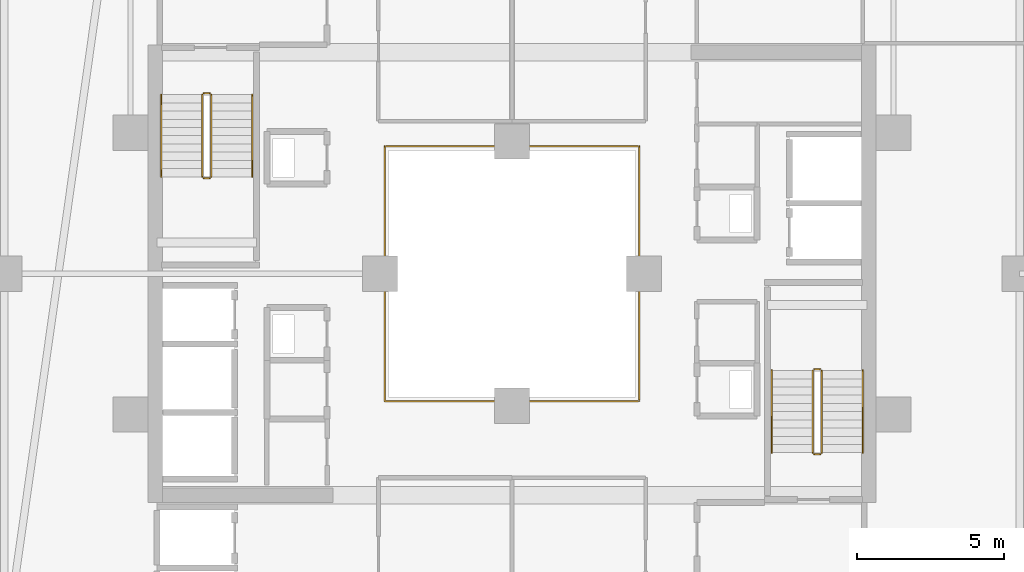
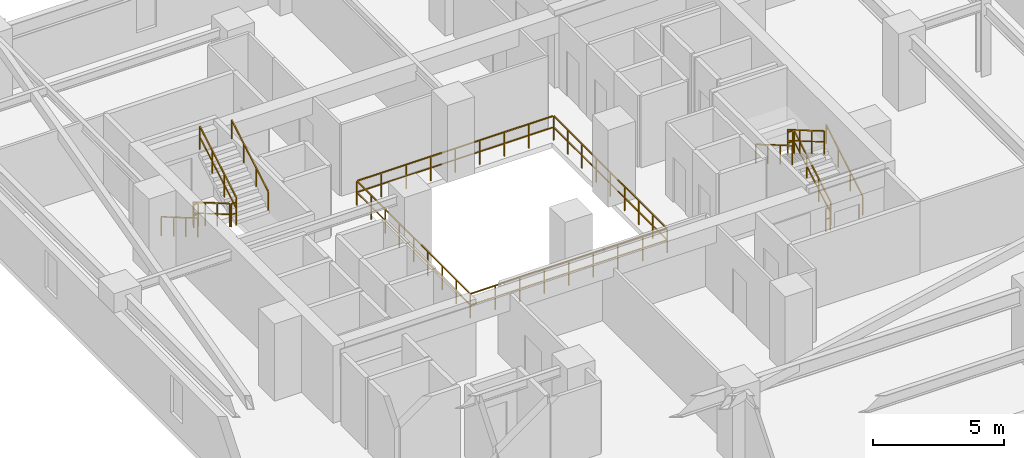
# One storey, part 30 of 31: 13 railings.
"""IFC4 building model written with IfcOpenShell, lengths in metres."""

from ifc_helpers import new_model, si_unit, direction, frame, origin, origin_2d, place, context, subcontext, project, spatial, rectangle, extrude, material, type_object, element, save


model = new_model("IFC4")

# Units and contexts
model_context = context("Model", 3, precision=1e-05, world=origin(), true_north=direction((0.0, 1.0)))
body_context = subcontext(model_context, "Body", "Model", "MODEL_VIEW")
ifc_project = project(units=[si_unit("LENGTHUNIT", "METRE"), si_unit("AREAUNIT", "SQUARE_METRE"), si_unit("VOLUMEUNIT", "CUBIC_METRE"), si_unit("PLANEANGLEUNIT", "RADIAN"), si_unit("MASSUNIT", "GRAM", prefix="KILO")], contexts=[model_context])

# Site, building, storey
site_placement = place(None, origin())
site = spatial("IfcSite", under=ifc_project, at=site_placement, CompositionType="ELEMENT")
building_placement = place(site_placement, origin())
building = spatial("IfcBuilding", under=site, at=building_placement, Name="Thornwick Lancets Civic Towers", CompositionType="ELEMENT")
storey_placement = place(building_placement, frame((0.0, 0.0, 126.89990234375)))
storey = spatial("IfcBuildingStorey", under=building, at=storey_placement, Name="L33", CompositionType="ELEMENT", Elevation=126.89990234375)

# Railings
ifc_material_1 = material(Name="Laminated glass and bronze steel S355", Category="steel")
railing_type_1 = type_object("IfcRailingType", Name="RAIL_ATRIUM_GUARD", PredefinedType="BALUSTRADE", material=ifc_material_1)
railing_1_placement = place(storey_placement, frame((84.159912109375, 22.659912109375, 0.0)))
element("IfcRailing", 1, at=railing_1_placement, inside=storey, type_object=railing_type_1, Name="L33 Tower B Central Atrium Guard Balustrade", PredefinedType="BALUSTRADE", context=body_context, shape_type="SweptSolid", body=[
    extrude(rectangle(XDim=0.048095703125, YDim=0.048095703125, at=origin_2d()), frame((0.0, 0.0, 1.1259765625), z_axis=(1.0, 0.0, 0.0), x_axis=(0.0, 1.0, 0.0)), (0.0, 0.0, 1.0), 8.64892578125),
    extrude(rectangle(XDim=0.0419921875, YDim=0.0419921875, at=origin_2d()), frame((0.03759765625, 0.0, 0.597900390625), z_axis=(1.0, 0.0, 0.0), x_axis=(0.0, 1.0, 0.0)), (0.0, 0.0, 1.0), 1.010009765625),
    extrude(rectangle(XDim=0.0419921875, YDim=0.0419921875, at=origin_2d()), frame((1.12255859375, 0.0, 0.597900390625), z_axis=(1.0, 0.0, 0.0), x_axis=(0.0, 1.0, 0.0)), (0.0, 0.0, 1.0), 1.010009765625),
    extrude(rectangle(XDim=0.0419921875, YDim=0.0419921875, at=origin_2d()), frame((2.20751953125, 0.0, 0.597900390625), z_axis=(1.0, 0.0, 0.0), x_axis=(0.0, 1.0, 0.0)), (0.0, 0.0, 1.0), 1.010009765625),
    extrude(rectangle(XDim=0.0419921875, YDim=0.0419921875, at=origin_2d()), frame((3.29248046875, 0.0, 0.597900390625), z_axis=(1.0, 0.0, 0.0), x_axis=(0.0, 1.0, 0.0)), (0.0, 0.0, 1.0), 1.010009765625),
    extrude(rectangle(XDim=0.0419921875, YDim=0.0419921875, at=origin_2d()), frame((4.377685546875, 0.0, 0.597900390625), z_axis=(1.0, 0.0, 0.0), x_axis=(0.0, 1.0, 0.0)), (0.0, 0.0, 1.0), 1.010009765625),
    extrude(rectangle(XDim=0.0419921875, YDim=0.0419921875, at=origin_2d()), frame((5.462646484375, 0.0, 0.597900390625), z_axis=(1.0, 0.0, 0.0), x_axis=(0.0, 1.0, 0.0)), (0.0, 0.0, 1.0), 1.010009765625),
    extrude(rectangle(XDim=0.0419921875, YDim=0.0419921875, at=origin_2d()), frame((6.547607421875, 0.0, 0.597900390625), z_axis=(1.0, 0.0, 0.0), x_axis=(0.0, 1.0, 0.0)), (0.0, 0.0, 1.0), 1.010009765625),
    extrude(rectangle(XDim=0.0419921875, YDim=0.0419921875, at=origin_2d()), frame((7.632568359375, 0.0, 0.597900390625), z_axis=(1.0, 0.0, 0.0), x_axis=(0.0, 1.0, 0.0)), (0.0, 0.0, 1.0), 1.010009765625),
    extrude(rectangle(XDim=0.048095703125, YDim=0.048095703125, at=origin_2d()), frame((8.68017578125, 0.03125, 1.1259765625), z_axis=(0.0, 1.0, 0.0), x_axis=(-1.0, 0.0, 0.0)), (0.0, 0.0, 1.0), 8.61767578125),
    extrude(rectangle(XDim=0.0419921875, YDim=0.0419921875, at=origin_2d()), frame((8.68017578125, 0.03759765625, 0.597900390625), z_axis=(0.0, 1.0, 0.0), x_axis=(-1.0, 0.0, 0.0)), (0.0, 0.0, 1.0), 1.010009765625),
    extrude(rectangle(XDim=0.0419921875, YDim=0.0419921875, at=origin_2d()), frame((8.68017578125, 1.12255859375, 0.597900390625), z_axis=(0.0, 1.0, 0.0), x_axis=(-1.0, 0.0, 0.0)), (0.0, 0.0, 1.0), 1.010009765625),
    extrude(rectangle(XDim=0.0419921875, YDim=0.0419921875, at=origin_2d()), frame((8.68017578125, 2.20751953125, 0.597900390625), z_axis=(0.0, 1.0, 0.0), x_axis=(-1.0, 0.0, 0.0)), (0.0, 0.0, 1.0), 1.010009765625),
    extrude(rectangle(XDim=0.0419921875, YDim=0.0419921875, at=origin_2d()), frame((8.68017578125, 3.29248046875, 0.597900390625), z_axis=(0.0, 1.0, 0.0), x_axis=(-1.0, 0.0, 0.0)), (0.0, 0.0, 1.0), 1.010009765625),
    extrude(rectangle(XDim=0.0419921875, YDim=0.0419921875, at=origin_2d()), frame((8.68017578125, 4.377685546875, 0.597900390625), z_axis=(0.0, 1.0, 0.0), x_axis=(-1.0, 0.0, 0.0)), (0.0, 0.0, 1.0), 1.010009765625),
    extrude(rectangle(XDim=0.0419921875, YDim=0.0419921875, at=origin_2d()), frame((8.68017578125, 5.462646484375, 0.597900390625), z_axis=(0.0, 1.0, 0.0), x_axis=(-1.0, 0.0, 0.0)), (0.0, 0.0, 1.0), 1.010009765625),
    extrude(rectangle(XDim=0.0419921875, YDim=0.0419921875, at=origin_2d()), frame((8.68017578125, 6.547607421875, 0.597900390625), z_axis=(0.0, 1.0, 0.0), x_axis=(-1.0, 0.0, 0.0)), (0.0, 0.0, 1.0), 1.010009765625),
    extrude(rectangle(XDim=0.0419921875, YDim=0.0419921875, at=origin_2d()), frame((8.68017578125, 7.632568359375, 0.597900390625), z_axis=(0.0, 1.0, 0.0), x_axis=(-1.0, 0.0, 0.0)), (0.0, 0.0, 1.0), 1.010009765625),
    extrude(rectangle(XDim=0.048095703125, YDim=0.048095703125, at=origin_2d()), frame((8.64892578125, 8.68017578125, 1.1259765625), z_axis=(-1.0, 0.0, 0.0), x_axis=(0.0, -1.0, 0.0)), (0.0, 0.0, 1.0), 8.61767578125),
    extrude(rectangle(XDim=0.0419921875, YDim=0.0419921875, at=origin_2d()), frame((8.642578125, 8.68017578125, 0.597900390625), z_axis=(-1.0, 0.0, 0.0), x_axis=(0.0, -1.0, 0.0)), (0.0, 0.0, 1.0), 1.010009765625),
    extrude(rectangle(XDim=0.0419921875, YDim=0.0419921875, at=origin_2d()), frame((7.5576171875, 8.68017578125, 0.597900390625), z_axis=(-1.0, 0.0, 0.0), x_axis=(0.0, -1.0, 0.0)), (0.0, 0.0, 1.0), 1.010009765625),
    extrude(rectangle(XDim=0.0419921875, YDim=0.0419921875, at=origin_2d()), frame((6.47265625, 8.68017578125, 0.597900390625), z_axis=(-1.0, 0.0, 0.0), x_axis=(0.0, -1.0, 0.0)), (0.0, 0.0, 1.0), 1.010009765625),
    extrude(rectangle(XDim=0.0419921875, YDim=0.0419921875, at=origin_2d()), frame((5.3876953125, 8.68017578125, 0.597900390625), z_axis=(-1.0, 0.0, 0.0), x_axis=(0.0, -1.0, 0.0)), (0.0, 0.0, 1.0), 1.010009765625),
    extrude(rectangle(XDim=0.0419921875, YDim=0.0419921875, at=origin_2d()), frame((4.302490234375, 8.68017578125, 0.597900390625), z_axis=(-1.0, 0.0, 0.0), x_axis=(0.0, -1.0, 0.0)), (0.0, 0.0, 1.0), 1.010009765625),
    extrude(rectangle(XDim=0.0419921875, YDim=0.0419921875, at=origin_2d()), frame((3.217529296875, 8.68017578125, 0.597900390625), z_axis=(-1.0, 0.0, 0.0), x_axis=(0.0, -1.0, 0.0)), (0.0, 0.0, 1.0), 1.010009765625),
    extrude(rectangle(XDim=0.0419921875, YDim=0.0419921875, at=origin_2d()), frame((2.132568359375, 8.68017578125, 0.597900390625), z_axis=(-1.0, 0.0, 0.0), x_axis=(0.0, -1.0, 0.0)), (0.0, 0.0, 1.0), 1.010009765625),
    extrude(rectangle(XDim=0.0419921875, YDim=0.0419921875, at=origin_2d()), frame((1.047607421875, 8.68017578125, 0.597900390625), z_axis=(-1.0, 0.0, 0.0), x_axis=(0.0, -1.0, 0.0)), (0.0, 0.0, 1.0), 1.010009765625),
    extrude(rectangle(XDim=0.048095703125, YDim=0.048095703125, at=origin_2d()), frame((0.0, 8.64892578125, 1.1259765625), z_axis=(0.0, -1.0, 0.0), x_axis=(1.0, 0.0, 0.0)), (0.0, 0.0, 1.0), 8.64892578125),
    extrude(rectangle(XDim=0.0419921875, YDim=0.0419921875, at=origin_2d()), frame((0.0, 8.642578125, 0.597900390625), z_axis=(0.0, -1.0, 0.0), x_axis=(1.0, 0.0, 0.0)), (0.0, 0.0, 1.0), 1.010009765625),
    extrude(rectangle(XDim=0.0419921875, YDim=0.0419921875, at=origin_2d()), frame((0.0, 7.5576171875, 0.597900390625), z_axis=(0.0, -1.0, 0.0), x_axis=(1.0, 0.0, 0.0)), (0.0, 0.0, 1.0), 1.010009765625),
    extrude(rectangle(XDim=0.0419921875, YDim=0.0419921875, at=origin_2d()), frame((0.0, 6.47265625, 0.597900390625), z_axis=(0.0, -1.0, 0.0), x_axis=(1.0, 0.0, 0.0)), (0.0, 0.0, 1.0), 1.010009765625),
    extrude(rectangle(XDim=0.0419921875, YDim=0.0419921875, at=origin_2d()), frame((0.0, 5.3876953125, 0.597900390625), z_axis=(0.0, -1.0, 0.0), x_axis=(1.0, 0.0, 0.0)), (0.0, 0.0, 1.0), 1.010009765625),
    extrude(rectangle(XDim=0.0419921875, YDim=0.0419921875, at=origin_2d()), frame((0.0, 4.302490234375, 0.597900390625), z_axis=(0.0, -1.0, 0.0), x_axis=(1.0, 0.0, 0.0)), (0.0, 0.0, 1.0), 1.010009765625),
    extrude(rectangle(XDim=0.0419921875, YDim=0.0419921875, at=origin_2d()), frame((0.0, 3.217529296875, 0.597900390625), z_axis=(0.0, -1.0, 0.0), x_axis=(1.0, 0.0, 0.0)), (0.0, 0.0, 1.0), 1.010009765625),
    extrude(rectangle(XDim=0.0419921875, YDim=0.0419921875, at=origin_2d()), frame((0.0, 2.132568359375, 0.597900390625), z_axis=(0.0, -1.0, 0.0), x_axis=(1.0, 0.0, 0.0)), (0.0, 0.0, 1.0), 1.010009765625),
    extrude(rectangle(XDim=0.0419921875, YDim=0.0419921875, at=origin_2d()), frame((0.0, 1.047607421875, 0.597900390625), z_axis=(0.0, -1.0, 0.0), x_axis=(1.0, 0.0, 0.0)), (0.0, 0.0, 1.0), 1.010009765625),
    extrude(rectangle(XDim=0.0419921875, YDim=0.0419921875, at=origin_2d()), origin(), (0.0, 0.0, 1.0), 1.095703125),
    extrude(rectangle(XDim=0.0419921875, YDim=0.0419921875, at=origin_2d()), frame((1.0849609375, 0.0, 0.0)), (0.0, 0.0, 1.0), 1.095703125),
    extrude(rectangle(XDim=0.0419921875, YDim=0.0419921875, at=origin_2d()), frame((2.169921875, 0.0, 0.0)), (0.0, 0.0, 1.0), 1.095703125),
    extrude(rectangle(XDim=0.0419921875, YDim=0.0419921875, at=origin_2d()), frame((3.255126953125, 0.0, 0.0)), (0.0, 0.0, 1.0), 1.095703125),
    extrude(rectangle(XDim=0.0419921875, YDim=0.0419921875, at=origin_2d()), frame((4.340087890625, 0.0, 0.0)), (0.0, 0.0, 1.0), 1.095703125),
    extrude(rectangle(XDim=0.0419921875, YDim=0.0419921875, at=origin_2d()), frame((5.425048828125, 0.0, 0.0)), (0.0, 0.0, 1.0), 1.095703125),
    extrude(rectangle(XDim=0.0419921875, YDim=0.0419921875, at=origin_2d()), frame((6.51025390625, 0.0, 0.0)), (0.0, 0.0, 1.0), 1.095703125),
    extrude(rectangle(XDim=0.0419921875, YDim=0.0419921875, at=origin_2d()), frame((7.59521484375, 0.0, 0.0)), (0.0, 0.0, 1.0), 1.095703125),
    extrude(rectangle(XDim=0.0419921875, YDim=0.0419921875, at=origin_2d()), frame((8.68017578125, 0.0, 0.0)), (0.0, 0.0, 1.0), 1.095703125),
    extrude(rectangle(XDim=0.0419921875, YDim=0.0419921875, at=origin_2d()), frame((8.68017578125, 1.0849609375, 0.0)), (0.0, 0.0, 1.0), 1.095703125),
    extrude(rectangle(XDim=0.0419921875, YDim=0.0419921875, at=origin_2d()), frame((8.68017578125, 2.169921875, 0.0)), (0.0, 0.0, 1.0), 1.095703125),
    extrude(rectangle(XDim=0.0419921875, YDim=0.0419921875, at=origin_2d()), frame((8.68017578125, 3.255126953125, 0.0)), (0.0, 0.0, 1.0), 1.095703125),
    extrude(rectangle(XDim=0.0419921875, YDim=0.0419921875, at=origin_2d()), frame((8.68017578125, 4.340087890625, 0.0)), (0.0, 0.0, 1.0), 1.095703125),
    extrude(rectangle(XDim=0.0419921875, YDim=0.0419921875, at=origin_2d()), frame((8.68017578125, 5.425048828125, 0.0)), (0.0, 0.0, 1.0), 1.095703125),
    extrude(rectangle(XDim=0.0419921875, YDim=0.0419921875, at=origin_2d()), frame((8.68017578125, 6.51025390625, 0.0)), (0.0, 0.0, 1.0), 1.095703125),
    extrude(rectangle(XDim=0.0419921875, YDim=0.0419921875, at=origin_2d()), frame((8.68017578125, 7.59521484375, 0.0)), (0.0, 0.0, 1.0), 1.095703125),
    extrude(rectangle(XDim=0.0419921875, YDim=0.0419921875, at=origin_2d()), frame((8.68017578125, 8.68017578125, 0.0)), (0.0, 0.0, 1.0), 1.095703125),
    extrude(rectangle(XDim=0.0419921875, YDim=0.0419921875, at=origin_2d()), frame((7.59521484375, 8.68017578125, 0.0)), (0.0, 0.0, 1.0), 1.095703125),
    extrude(rectangle(XDim=0.0419921875, YDim=0.0419921875, at=origin_2d()), frame((6.51025390625, 8.68017578125, 0.0)), (0.0, 0.0, 1.0), 1.095703125),
    extrude(rectangle(XDim=0.0419921875, YDim=0.0419921875, at=origin_2d()), frame((5.425048828125, 8.68017578125, 0.0)), (0.0, 0.0, 1.0), 1.095703125),
    extrude(rectangle(XDim=0.0419921875, YDim=0.0419921875, at=origin_2d()), frame((4.340087890625, 8.68017578125, 0.0)), (0.0, 0.0, 1.0), 1.095703125),
    extrude(rectangle(XDim=0.0419921875, YDim=0.0419921875, at=origin_2d()), frame((3.255126953125, 8.68017578125, 0.0)), (0.0, 0.0, 1.0), 1.095703125),
    extrude(rectangle(XDim=0.0419921875, YDim=0.0419921875, at=origin_2d()), frame((2.169921875, 8.68017578125, 0.0)), (0.0, 0.0, 1.0), 1.095703125),
    extrude(rectangle(XDim=0.0419921875, YDim=0.0419921875, at=origin_2d()), frame((1.0849609375, 8.68017578125, 0.0)), (0.0, 0.0, 1.0), 1.095703125),
    extrude(rectangle(XDim=0.0419921875, YDim=0.0419921875, at=origin_2d()), frame((0.0, 8.68017578125, 0.0)), (0.0, 0.0, 1.0), 1.095703125),
    extrude(rectangle(XDim=0.0419921875, YDim=0.0419921875, at=origin_2d()), frame((0.0, 7.59521484375, 0.0)), (0.0, 0.0, 1.0), 1.095703125),
    extrude(rectangle(XDim=0.0419921875, YDim=0.0419921875, at=origin_2d()), frame((0.0, 6.51025390625, 0.0)), (0.0, 0.0, 1.0), 1.095703125),
    extrude(rectangle(XDim=0.0419921875, YDim=0.0419921875, at=origin_2d()), frame((0.0, 5.425048828125, 0.0)), (0.0, 0.0, 1.0), 1.095703125),
    extrude(rectangle(XDim=0.0419921875, YDim=0.0419921875, at=origin_2d()), frame((0.0, 4.340087890625, 0.0)), (0.0, 0.0, 1.0), 1.095703125),
    extrude(rectangle(XDim=0.0419921875, YDim=0.0419921875, at=origin_2d()), frame((0.0, 3.255126953125, 0.0)), (0.0, 0.0, 1.0), 1.095703125),
    extrude(rectangle(XDim=0.0419921875, YDim=0.0419921875, at=origin_2d()), frame((0.0, 2.169921875, 0.0)), (0.0, 0.0, 1.0), 1.095703125),
    extrude(rectangle(XDim=0.0419921875, YDim=0.0419921875, at=origin_2d()), frame((0.0, 1.0849609375, 0.0)), (0.0, 0.0, 1.0), 1.095703125),
])
ifc_material_2 = material(Name="Brushed stainless steel S355", Category="steel")
railing_type_2 = type_object("IfcRailingType", Name="RAIL_HANDRAIL", PredefinedType="HANDRAIL", material=ifc_material_2)
railing_2_placement = place(storey_placement, frame((100.449951171875, 20.89990234375, 0.163818359375)))
element("IfcRailing", 2, at=railing_2_placement, inside=storey, type_object=railing_type_2, Name="L33 ST-B1 stair handrail 1", PredefinedType="HANDRAIL", context=body_context, shape_type="SweptSolid", body=[
    extrude(rectangle(XDim=0.048095703125, YDim=0.048095703125, at=origin_2d()), frame((0.0, 0.0, 0.8857421875), z_axis=(0.0, 0.863393664356, 0.504530851732), x_axis=(-1.0, 0.0, 0.0)), (0.0, 0.0, 1.0), 3.2431640625),
    extrude(rectangle(XDim=0.0419921875, YDim=0.0419921875, at=origin_2d()), origin(), (0.0, 0.0, 1.0), 0.855712890625),
    extrude(rectangle(XDim=0.0419921875, YDim=0.0419921875, at=origin_2d()), frame((0.0, 0.933349609375, 0.54541015625)), (0.0, 0.0, 1.0), 0.855712890625),
    extrude(rectangle(XDim=0.0419921875, YDim=0.0419921875, at=origin_2d()), frame((0.0, 1.86669921875, 1.0908203125)), (0.0, 0.0, 1.0), 0.855712890625),
    extrude(rectangle(XDim=0.0419921875, YDim=0.0419921875, at=origin_2d()), frame((0.0, 2.800048828125, 1.63623046875)), (0.0, 0.0, 1.0), 0.855712890625),
])
railing_3_placement = place(storey_placement, frame((97.35009765625, 23.699951171875, 1.963623046875)))
element("IfcRailing", 3, at=railing_3_placement, inside=storey, type_object=railing_type_2, Name="L33 ST-B1 stair handrail 2", PredefinedType="HANDRAIL", context=body_context, shape_type="SweptSolid", body=[
    extrude(rectangle(XDim=0.048095703125, YDim=0.048095703125, at=origin_2d()), frame((0.0, 0.0, 0.8857421875), z_axis=(0.0, -0.863360870873, 0.504586966384), x_axis=(1.0, 0.0, 0.0)), (0.0, 0.0, 1.0), 3.2431640625),
    extrude(rectangle(XDim=0.0419921875, YDim=0.0419921875, at=origin_2d()), origin(), (0.0, 0.0, 1.0), 0.855712890625),
    extrude(rectangle(XDim=0.0419921875, YDim=0.0419921875, at=origin_2d()), frame((0.0, -0.933349609375, 0.54541015625)), (0.0, 0.0, 1.0), 0.855712890625),
    extrude(rectangle(XDim=0.0419921875, YDim=0.0419921875, at=origin_2d()), frame((0.0, -1.86669921875, 1.091064453125)), (0.0, 0.0, 1.0), 0.855712890625),
    extrude(rectangle(XDim=0.0419921875, YDim=0.0419921875, at=origin_2d()), frame((0.0, -2.800048828125, 1.636474609375)), (0.0, 0.0, 1.0), 0.855712890625),
])
railing_4_placement = place(storey_placement, frame((76.550048828125, 33.10009765625, 0.163818359375)))
element("IfcRailing", 4, at=railing_4_placement, inside=storey, type_object=railing_type_2, Name="L33 ST-B2 stair handrail 1", PredefinedType="HANDRAIL", context=body_context, shape_type="SweptSolid", body=[
    extrude(rectangle(XDim=0.048095703125, YDim=0.048095703125, at=origin_2d()), frame((0.0, 0.0, 0.8857421875), z_axis=(0.0, -0.863393664356, 0.504530851732), x_axis=(1.0, 0.0, 0.0)), (0.0, 0.0, 1.0), 3.2431640625),
    extrude(rectangle(XDim=0.0419921875, YDim=0.0419921875, at=origin_2d()), origin(), (0.0, 0.0, 1.0), 0.855712890625),
    extrude(rectangle(XDim=0.0419921875, YDim=0.0419921875, at=origin_2d()), frame((0.0, -0.933349609375, 0.54541015625)), (0.0, 0.0, 1.0), 0.855712890625),
    extrude(rectangle(XDim=0.0419921875, YDim=0.0419921875, at=origin_2d()), frame((0.0, -1.86669921875, 1.0908203125)), (0.0, 0.0, 1.0), 0.855712890625),
    extrude(rectangle(XDim=0.0419921875, YDim=0.0419921875, at=origin_2d()), frame((0.0, -2.800048828125, 1.63623046875)), (0.0, 0.0, 1.0), 0.855712890625),
])
railing_5_placement = place(storey_placement, frame((79.64990234375, 30.300048828125, 1.963623046875)))
element("IfcRailing", 5, at=railing_5_placement, inside=storey, type_object=railing_type_2, Name="L33 ST-B2 stair handrail 2", PredefinedType="HANDRAIL", context=body_context, shape_type="SweptSolid", body=[
    extrude(rectangle(XDim=0.048095703125, YDim=0.048095703125, at=origin_2d()), frame((0.0, 0.0, 0.8857421875), z_axis=(0.0, 0.863360870873, 0.504586966384), x_axis=(-1.0, 0.0, 0.0)), (0.0, 0.0, 1.0), 3.2431640625),
    extrude(rectangle(XDim=0.0419921875, YDim=0.0419921875, at=origin_2d()), origin(), (0.0, 0.0, 1.0), 0.855712890625),
    extrude(rectangle(XDim=0.0419921875, YDim=0.0419921875, at=origin_2d()), frame((0.0, 0.933349609375, 0.54541015625)), (0.0, 0.0, 1.0), 0.855712890625),
    extrude(rectangle(XDim=0.0419921875, YDim=0.0419921875, at=origin_2d()), frame((0.0, 1.86669921875, 1.091064453125)), (0.0, 0.0, 1.0), 0.855712890625),
    extrude(rectangle(XDim=0.0419921875, YDim=0.0419921875, at=origin_2d()), frame((0.0, 2.800048828125, 1.636474609375)), (0.0, 0.0, 1.0), 0.855712890625),
])
ifc_material_3 = material(Name="Steel S355JR", Category="steel")
railing_type_3 = type_object("IfcRailingType", Name="RAIL_STAIR_GUARD", PredefinedType="GUARDRAIL", material=ifc_material_3)
railing_6_placement = place(storey_placement, frame((99.050048828125, 20.89990234375, 0.163818359375)))
element("IfcRailing", 6, at=railing_6_placement, inside=storey, type_object=railing_type_3, Name="L33 ST-B1 stair guard 1", PredefinedType="GUARDRAIL", context=body_context, shape_type="SweptSolid", body=[
    extrude(rectangle(XDim=0.048095703125, YDim=0.048095703125, at=origin_2d()), frame((0.0, 0.0, 1.076171875), z_axis=(0.0, 0.863393664356, 0.504530851732), x_axis=(-1.0, 0.0, 0.0)), (0.0, 0.0, 1.0), 3.2431640625),
    extrude(rectangle(XDim=0.0419921875, YDim=0.0419921875, at=origin_2d()), frame((0.0, 0.032470703125, 0.591064453125), z_axis=(0.0, 0.863393664356, 0.504530851732), x_axis=(-1.0, 0.0, 0.0)), (0.0, 0.0, 1.0), 1.006103515625),
    extrude(rectangle(XDim=0.0419921875, YDim=0.0419921875, at=origin_2d()), frame((0.0, 0.9658203125, 1.136474609375), z_axis=(0.0, 0.863393664356, 0.504530851732), x_axis=(-1.0, 0.0, 0.0)), (0.0, 0.0, 1.0), 1.006103515625),
    extrude(rectangle(XDim=0.0419921875, YDim=0.0419921875, at=origin_2d()), frame((0.0, 1.899169921875, 1.681884765625), z_axis=(0.0, 0.863393664356, 0.504530851732), x_axis=(-1.0, 0.0, 0.0)), (0.0, 0.0, 1.0), 1.006103515625),
    extrude(rectangle(XDim=0.0419921875, YDim=0.0419921875, at=origin_2d()), origin(), (0.0, 0.0, 1.0), 1.0458984375),
    extrude(rectangle(XDim=0.0419921875, YDim=0.0419921875, at=origin_2d()), frame((0.0, 0.933349609375, 0.54541015625)), (0.0, 0.0, 1.0), 1.0458984375),
    extrude(rectangle(XDim=0.0419921875, YDim=0.0419921875, at=origin_2d()), frame((0.0, 1.86669921875, 1.0908203125)), (0.0, 0.0, 1.0), 1.0458984375),
    extrude(rectangle(XDim=0.0419921875, YDim=0.0419921875, at=origin_2d()), frame((0.0, 2.800048828125, 1.63623046875)), (0.0, 0.0, 1.0), 1.0458984375),
])
railing_7_placement = place(storey_placement, frame((99.0, 23.75, 1.800048828125)))
element("IfcRailing", 7, at=railing_7_placement, inside=storey, type_object=railing_type_3, Name="L33 ST-B1 stair guard 2", PredefinedType="GUARDRAIL", context=body_context, shape_type="SweptSolid", body=[
    extrude(rectangle(XDim=0.048095703125, YDim=0.048095703125, at=origin_2d()), frame((0.0, 0.0, 1.076171875), z_axis=(-1.0, 0.0, 0.0), x_axis=(0.0, -1.0, 0.0)), (0.0, 0.0, 1.0), 0.199951171875),
    extrude(rectangle(XDim=0.0419921875, YDim=0.0419921875, at=origin_2d()), frame((-0.03759765625, 0.0, 0.572021484375), z_axis=(-1.0, 0.0, 0.0), x_axis=(0.0, -1.0, 0.0)), (0.0, 0.0, 1.0), 0.125),
    extrude(rectangle(XDim=0.0419921875, YDim=0.0419921875, at=origin_2d()), origin(), (0.0, 0.0, 1.0), 1.0458984375),
    extrude(rectangle(XDim=0.0419921875, YDim=0.0419921875, at=origin_2d()), frame((-0.199951171875, 0.0, 0.0)), (0.0, 0.0, 1.0), 1.0458984375),
])
railing_8_placement = place(storey_placement, frame((98.75, 23.699951171875, 1.963623046875)))
element("IfcRailing", 8, at=railing_8_placement, inside=storey, type_object=railing_type_3, Name="L33 ST-B1 stair guard 3", PredefinedType="GUARDRAIL", context=body_context, shape_type="SweptSolid", body=[
    extrude(rectangle(XDim=0.048095703125, YDim=0.048095703125, at=origin_2d()), frame((0.0, 0.0, 1.076171875), z_axis=(0.0, -0.863360870873, 0.504586966384), x_axis=(1.0, 0.0, 0.0)), (0.0, 0.0, 1.0), 3.2431640625),
    extrude(rectangle(XDim=0.0419921875, YDim=0.0419921875, at=origin_2d()), frame((0.0, -0.032470703125, 0.591064453125), z_axis=(0.0, -0.863360870873, 0.504586966384), x_axis=(1.0, 0.0, 0.0)), (0.0, 0.0, 1.0), 1.006103515625),
    extrude(rectangle(XDim=0.0419921875, YDim=0.0419921875, at=origin_2d()), frame((0.0, -0.9658203125, 1.136474609375), z_axis=(0.0, -0.863360870873, 0.504586966384), x_axis=(1.0, 0.0, 0.0)), (0.0, 0.0, 1.0), 1.006103515625),
    extrude(rectangle(XDim=0.0419921875, YDim=0.0419921875, at=origin_2d()), frame((0.0, -1.899169921875, 1.681884765625), z_axis=(0.0, -0.863360870873, 0.504586966384), x_axis=(1.0, 0.0, 0.0)), (0.0, 0.0, 1.0), 1.006103515625),
    extrude(rectangle(XDim=0.0419921875, YDim=0.0419921875, at=origin_2d()), origin(), (0.0, 0.0, 1.0), 1.0458984375),
    extrude(rectangle(XDim=0.0419921875, YDim=0.0419921875, at=origin_2d()), frame((0.0, -0.933349609375, 0.54541015625)), (0.0, 0.0, 1.0), 1.0458984375),
    extrude(rectangle(XDim=0.0419921875, YDim=0.0419921875, at=origin_2d()), frame((0.0, -1.86669921875, 1.091064453125)), (0.0, 0.0, 1.0), 1.0458984375),
    extrude(rectangle(XDim=0.0419921875, YDim=0.0419921875, at=origin_2d()), frame((0.0, -2.800048828125, 1.636474609375)), (0.0, 0.0, 1.0), 1.0458984375),
])
railing_9_placement = place(storey_placement, frame((99.0, 20.85009765625, 0.0)))
element("IfcRailing", 9, at=railing_9_placement, inside=storey, type_object=railing_type_3, Name="L33 ST-B1 stair guard 4", PredefinedType="GUARDRAIL", context=body_context, shape_type="SweptSolid", body=[
    extrude(rectangle(XDim=0.048095703125, YDim=0.048095703125, at=origin_2d()), frame((0.0, 0.0, 1.076171875), z_axis=(-1.0, 0.0, 0.0), x_axis=(0.0, -1.0, 0.0)), (0.0, 0.0, 1.0), 0.199951171875),
    extrude(rectangle(XDim=0.0419921875, YDim=0.0419921875, at=origin_2d()), frame((-0.03759765625, 0.0, 0.572021484375), z_axis=(-1.0, 0.0, 0.0), x_axis=(0.0, -1.0, 0.0)), (0.0, 0.0, 1.0), 0.125),
    extrude(rectangle(XDim=0.0419921875, YDim=0.0419921875, at=origin_2d()), origin(), (0.0, 0.0, 1.0), 1.0458984375),
    extrude(rectangle(XDim=0.0419921875, YDim=0.0419921875, at=origin_2d()), frame((-0.199951171875, 0.0, 0.0)), (0.0, 0.0, 1.0), 1.0458984375),
])
railing_10_placement = place(storey_placement, frame((77.949951171875, 33.10009765625, 0.163818359375)))
element("IfcRailing", 10, at=railing_10_placement, inside=storey, type_object=railing_type_3, Name="L33 ST-B2 stair guard 1", PredefinedType="GUARDRAIL", context=body_context, shape_type="SweptSolid", body=[
    extrude(rectangle(XDim=0.048095703125, YDim=0.048095703125, at=origin_2d()), frame((0.0, 0.0, 1.076171875), z_axis=(0.0, -0.863393664356, 0.504530851732), x_axis=(1.0, 0.0, 0.0)), (0.0, 0.0, 1.0), 3.2431640625),
    extrude(rectangle(XDim=0.0419921875, YDim=0.0419921875, at=origin_2d()), frame((0.0, -0.032470703125, 0.591064453125), z_axis=(0.0, -0.863393664356, 0.504530851732), x_axis=(1.0, 0.0, 0.0)), (0.0, 0.0, 1.0), 1.006103515625),
    extrude(rectangle(XDim=0.0419921875, YDim=0.0419921875, at=origin_2d()), frame((0.0, -0.9658203125, 1.136474609375), z_axis=(0.0, -0.863393664356, 0.504530851732), x_axis=(1.0, 0.0, 0.0)), (0.0, 0.0, 1.0), 1.006103515625),
    extrude(rectangle(XDim=0.0419921875, YDim=0.0419921875, at=origin_2d()), frame((0.0, -1.899169921875, 1.681884765625), z_axis=(0.0, -0.863393664356, 0.504530851732), x_axis=(1.0, 0.0, 0.0)), (0.0, 0.0, 1.0), 1.006103515625),
    extrude(rectangle(XDim=0.0419921875, YDim=0.0419921875, at=origin_2d()), origin(), (0.0, 0.0, 1.0), 1.0458984375),
    extrude(rectangle(XDim=0.0419921875, YDim=0.0419921875, at=origin_2d()), frame((0.0, -0.933349609375, 0.54541015625)), (0.0, 0.0, 1.0), 1.0458984375),
    extrude(rectangle(XDim=0.0419921875, YDim=0.0419921875, at=origin_2d()), frame((0.0, -1.86669921875, 1.0908203125)), (0.0, 0.0, 1.0), 1.0458984375),
    extrude(rectangle(XDim=0.0419921875, YDim=0.0419921875, at=origin_2d()), frame((0.0, -2.800048828125, 1.63623046875)), (0.0, 0.0, 1.0), 1.0458984375),
])
railing_11_placement = place(storey_placement, frame((78.0, 30.25, 1.800048828125)))
element("IfcRailing", 11, at=railing_11_placement, inside=storey, type_object=railing_type_3, Name="L33 ST-B2 stair guard 2", PredefinedType="GUARDRAIL", context=body_context, shape_type="SweptSolid", body=[
    extrude(rectangle(XDim=0.048095703125, YDim=0.048095703125, at=origin_2d()), frame((0.0, 0.0, 1.076171875), z_axis=(1.0, 0.0, 0.0), x_axis=(0.0, 1.0, 0.0)), (0.0, 0.0, 1.0), 0.199951171875),
    extrude(rectangle(XDim=0.0419921875, YDim=0.0419921875, at=origin_2d()), frame((0.03759765625, 0.0, 0.572021484375), z_axis=(1.0, 0.0, 0.0), x_axis=(0.0, 1.0, 0.0)), (0.0, 0.0, 1.0), 0.125),
    extrude(rectangle(XDim=0.0419921875, YDim=0.0419921875, at=origin_2d()), origin(), (0.0, 0.0, 1.0), 1.0458984375),
    extrude(rectangle(XDim=0.0419921875, YDim=0.0419921875, at=origin_2d()), frame((0.199951171875, 0.0, 0.0)), (0.0, 0.0, 1.0), 1.0458984375),
])
railing_12_placement = place(storey_placement, frame((78.25, 30.300048828125, 1.963623046875)))
element("IfcRailing", 12, at=railing_12_placement, inside=storey, type_object=railing_type_3, Name="L33 ST-B2 stair guard 3", PredefinedType="GUARDRAIL", context=body_context, shape_type="SweptSolid", body=[
    extrude(rectangle(XDim=0.048095703125, YDim=0.048095703125, at=origin_2d()), frame((0.0, 0.0, 1.076171875), z_axis=(0.0, 0.863360870873, 0.504586966384), x_axis=(-1.0, 0.0, 0.0)), (0.0, 0.0, 1.0), 3.2431640625),
    extrude(rectangle(XDim=0.0419921875, YDim=0.0419921875, at=origin_2d()), frame((0.0, 0.032470703125, 0.591064453125), z_axis=(0.0, 0.863360870873, 0.504586966384), x_axis=(-1.0, 0.0, 0.0)), (0.0, 0.0, 1.0), 1.006103515625),
    extrude(rectangle(XDim=0.0419921875, YDim=0.0419921875, at=origin_2d()), frame((0.0, 0.9658203125, 1.136474609375), z_axis=(0.0, 0.863360870873, 0.504586966384), x_axis=(-1.0, 0.0, 0.0)), (0.0, 0.0, 1.0), 1.006103515625),
    extrude(rectangle(XDim=0.0419921875, YDim=0.0419921875, at=origin_2d()), frame((0.0, 1.899169921875, 1.681884765625), z_axis=(0.0, 0.863360870873, 0.504586966384), x_axis=(-1.0, 0.0, 0.0)), (0.0, 0.0, 1.0), 1.006103515625),
    extrude(rectangle(XDim=0.0419921875, YDim=0.0419921875, at=origin_2d()), origin(), (0.0, 0.0, 1.0), 1.0458984375),
    extrude(rectangle(XDim=0.0419921875, YDim=0.0419921875, at=origin_2d()), frame((0.0, 0.933349609375, 0.54541015625)), (0.0, 0.0, 1.0), 1.0458984375),
    extrude(rectangle(XDim=0.0419921875, YDim=0.0419921875, at=origin_2d()), frame((0.0, 1.86669921875, 1.091064453125)), (0.0, 0.0, 1.0), 1.0458984375),
    extrude(rectangle(XDim=0.0419921875, YDim=0.0419921875, at=origin_2d()), frame((0.0, 2.800048828125, 1.636474609375)), (0.0, 0.0, 1.0), 1.0458984375),
])
railing_13_placement = place(storey_placement, frame((78.0, 33.14990234375, 0.0)))
element("IfcRailing", 13, at=railing_13_placement, inside=storey, type_object=railing_type_3, Name="L33 ST-B2 stair guard 4", PredefinedType="GUARDRAIL", context=body_context, shape_type="SweptSolid", body=[
    extrude(rectangle(XDim=0.048095703125, YDim=0.048095703125, at=origin_2d()), frame((0.0, 0.0, 1.076171875), z_axis=(1.0, 0.0, 0.0), x_axis=(0.0, 1.0, 0.0)), (0.0, 0.0, 1.0), 0.199951171875),
    extrude(rectangle(XDim=0.0419921875, YDim=0.0419921875, at=origin_2d()), frame((0.03759765625, 0.0, 0.572021484375), z_axis=(1.0, 0.0, 0.0), x_axis=(0.0, 1.0, 0.0)), (0.0, 0.0, 1.0), 0.125),
    extrude(rectangle(XDim=0.0419921875, YDim=0.0419921875, at=origin_2d()), origin(), (0.0, 0.0, 1.0), 1.0458984375),
    extrude(rectangle(XDim=0.0419921875, YDim=0.0419921875, at=origin_2d()), frame((0.199951171875, 0.0, 0.0)), (0.0, 0.0, 1.0), 1.0458984375),
])

save(model, "model.ifc")
